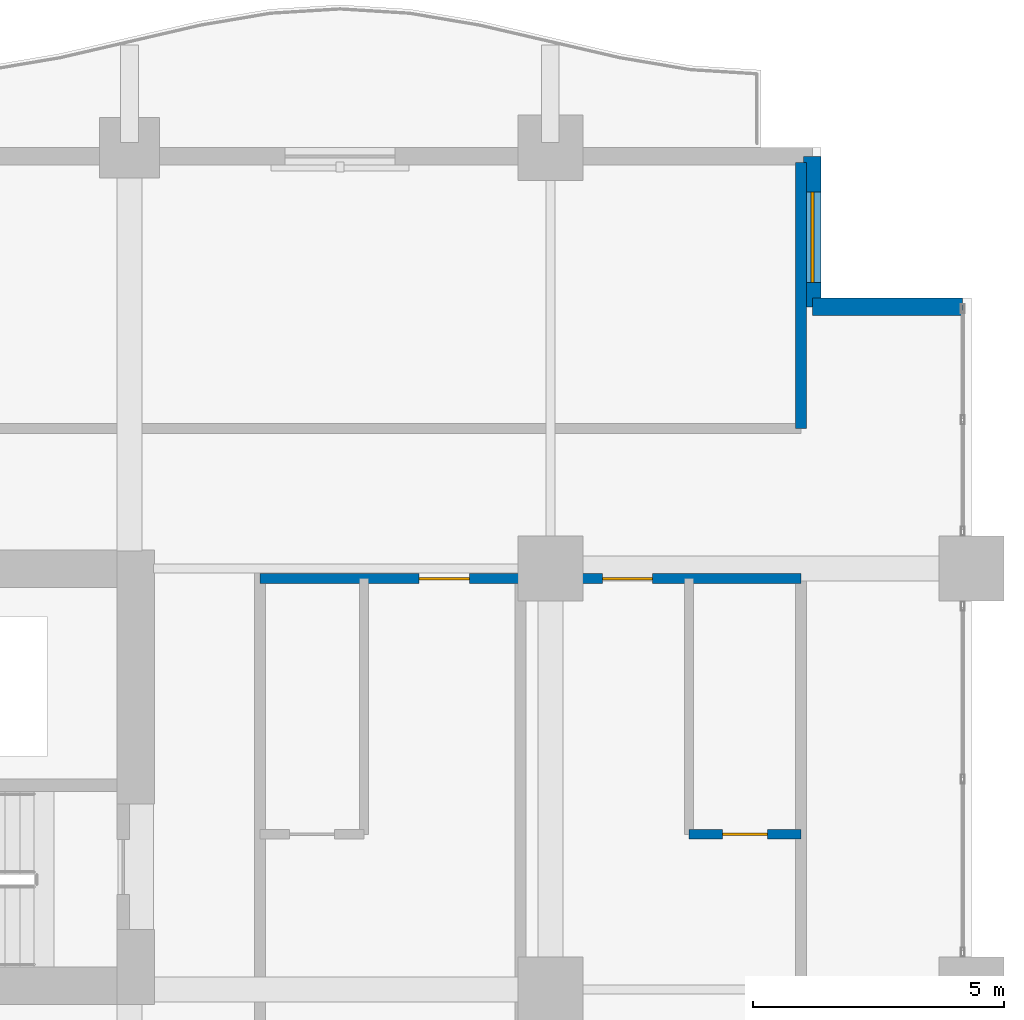
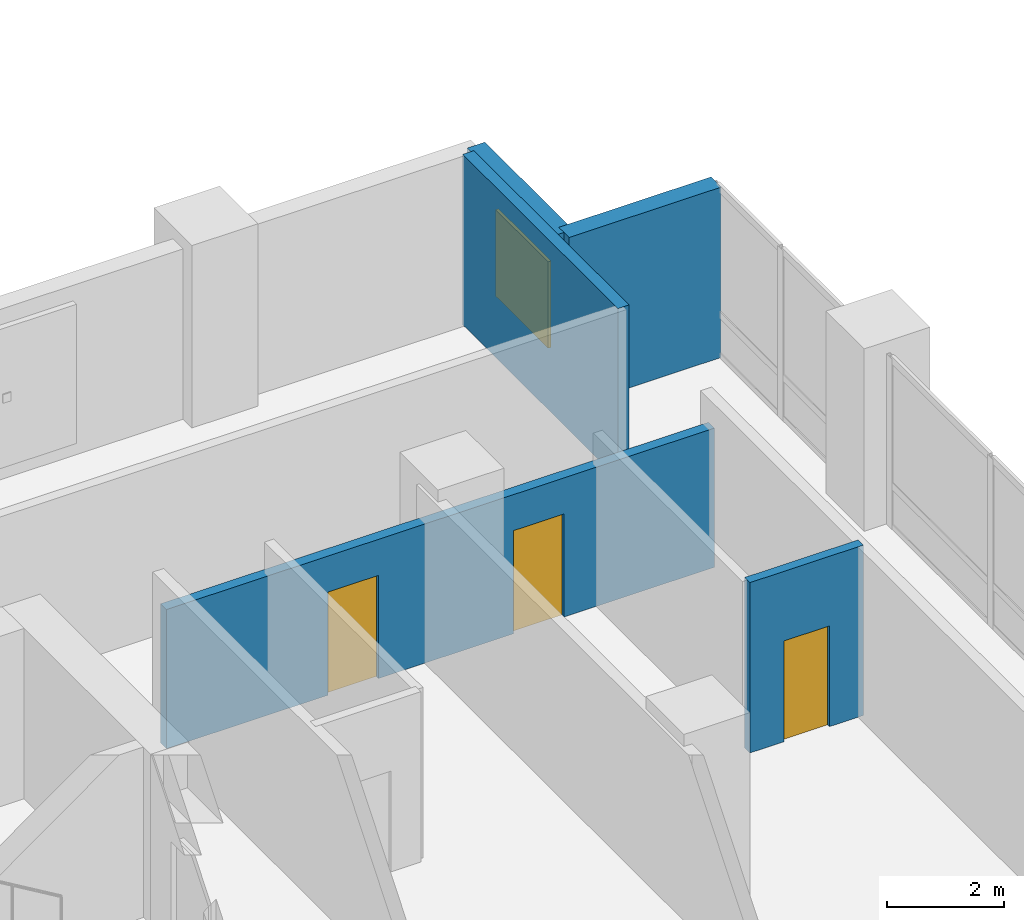
# One storey, part 15 of 24: 5 walls, 3 doors, 1 window, 4 openings.
"""IFC4 building model written with IfcOpenShell, lengths in metres."""

import ifcopenshell
import ifcopenshell.guid

model = None  # the IFC model being written
_history = None  # IfcOwnerHistory: only IFC2X3 demands one
_inside = {}  # id of a spatial element -> (the spatial element, [elements in it])
_under = {}  # id of a project, library or spatial element -> (it, [spatial elements below it])
_declared = {}  # id of a project -> (the project, [libraries it declares])
_typed = {}  # id of a type object -> (the type object, [elements of that type])
_made_of = {}  # id of a material, layer set ... -> (it, [elements and type objects made of it])


def new_model(schema):
    """Start an empty IFC model of exactly this schema.

    Asked for "IFC4X3", IfcOpenShell would pick the latest addendum, in which some entities
    have other attributes; the version numbers below select the first issue.
    IFC2X3 requires an IfcOwnerHistory on every rooted entity: one is made here for all.
    """
    global model, _history
    if schema == "IFC4X3":
        model = ifcopenshell.file(schema_version=(4, 3, 0, 0))
    else:
        model = ifcopenshell.file(schema=schema)
    _inside.clear()
    _under.clear()
    _declared.clear()
    _typed.clear()
    _made_of.clear()
    _history = None
    if model.schema == "IFC2X3":
        org = make("IfcOrganization", Name="unknown")
        user = make(
            "IfcPersonAndOrganization",
            ThePerson=make("IfcPerson", FamilyName="unknown"),
            TheOrganization=org,
        )
        app = make(
            "IfcApplication",
            ApplicationDeveloper=org,
            Version="unknown",
            ApplicationFullName="unknown",
            ApplicationIdentifier="unknown",
        )
        _history = make(
            "IfcOwnerHistory",
            OwningUser=user,
            OwningApplication=app,
            ChangeAction="ADDED",
            CreationDate=0,
        )
    return model


def make(cls, **values):
    """One entity of the class cls with the attributes given. An attribute that is None is left unset."""
    return model.create_entity(
        cls, **{name: value for name, value in values.items() if value is not None}
    )


def rooted(cls, **values):
    """An entity with a GlobalId (a new one), such as an element, a storey or a relation."""
    return make(cls, GlobalId=ifcopenshell.guid.new(), OwnerHistory=_history, **values)


def si_unit(unit_type, name, prefix=None):
    """IfcSIUnit, for example si_unit("LENGTHUNIT", "METRE", prefix="MILLI")."""
    return make("IfcSIUnit", UnitType=unit_type, Prefix=prefix, Name=name)


def assignment(units):
    """IfcUnitAssignment: the units of a project."""
    return None if units is None else make("IfcUnitAssignment", Units=units)


def point(xyz):
    """IfcCartesianPoint."""
    return None if xyz is None else make("IfcCartesianPoint", Coordinates=xyz)


def direction(xyz):
    """IfcDirection."""
    return None if xyz is None else make("IfcDirection", DirectionRatios=xyz)


def frame(location, z_axis=None, x_axis=None):
    """IfcAxis2Placement3D, a coordinate frame: its origin and axes. An axis left out is left unset."""
    return make(
        "IfcAxis2Placement3D",
        Location=point(location),
        Axis=direction(z_axis),
        RefDirection=direction(x_axis),
    )


def frame_2d(location, x_axis=None):
    """IfcAxis2Placement2D, a coordinate frame in the plane: its origin and x axis."""
    return make(
        "IfcAxis2Placement2D", Location=point(location), RefDirection=direction(x_axis)
    )


def origin():
    """The frame at (0, 0, 0) with its axes left unset."""
    return frame((0.0, 0.0, 0.0))


def place(relative_to, where):
    """IfcLocalPlacement: puts the frame where relative to a parent placement (None: the world)."""
    return make(
        "IfcLocalPlacement", PlacementRelTo=relative_to, RelativePlacement=where
    )


def context(
    kind, dimensions, precision=None, world=None, true_north=None, identifier=None
):
    """IfcGeometricRepresentationContext, for example the 3D "Model" context."""
    return make(
        "IfcGeometricRepresentationContext",
        ContextIdentifier=identifier,
        ContextType=kind,
        CoordinateSpaceDimension=dimensions,
        Precision=precision,
        WorldCoordinateSystem=world,
        TrueNorth=true_north,
    )


def subcontext(parent, identifier, kind, view, scale=None):
    """IfcGeometricRepresentationSubContext, for example "Body" below "Model"."""
    return make(
        "IfcGeometricRepresentationSubContext",
        ContextIdentifier=identifier,
        ContextType=kind,
        ParentContext=parent,
        TargetScale=scale,
        TargetView=view,
    )


def project(units=None, contexts=None):
    """IfcProject with its units and contexts."""
    return rooted(
        "IfcProject",
        Name="project",
        RepresentationContexts=contexts,
        UnitsInContext=assignment(units),
    )


def spatial(cls, under=None, at=None, **own):
    """A site, building, storey or space (cls), placed at a placement, below another one or the project."""
    s = rooted(cls, ObjectPlacement=at, **own)
    if under is not None:
        _under.setdefault(under.id(), (under, []))[1].append(s)
    return s


def profile(cls, at=None, kind="AREA", **sizes):
    """A parametric profile (cls). Its sizes go by their IFC names, for example OverallWidth=200.0."""
    return make(cls, ProfileType=kind, Position=at, **sizes)


def rectangle(**sizes):
    """IfcRectangleProfileDef."""
    return profile("IfcRectangleProfileDef", **sizes)


def extrude(swept, where, along, depth):
    """IfcExtrudedAreaSolid: the profile swept, set in the frame where, extruded along a direction by depth."""
    return make(
        "IfcExtrudedAreaSolid",
        SweptArea=swept,
        Position=where,
        ExtrudedDirection=direction(along),
        Depth=depth,
    )


def shape(context_of_items, identifier, shape_type, items):
    """IfcShapeRepresentation: the items that make up one representation, for example the "Body"."""
    return make(
        "IfcShapeRepresentation",
        ContextOfItems=context_of_items,
        RepresentationIdentifier=identifier,
        RepresentationType=shape_type,
        Items=items,
    )


def material(Name=None, Category=None):
    """IfcMaterial."""
    return make("IfcMaterial", Name=Name, Category=Category)


def layer(
    of_material, thickness, ventilated=None, Name=None, Category=None, Priority=None
):
    """IfcMaterialLayer: one layer of a wall or slab, of a material (None: an air gap)."""
    return make(
        "IfcMaterialLayer",
        Material=of_material,
        LayerThickness=thickness,
        IsVentilated=ventilated,
        Name=Name,
        Category=Category,
        Priority=Priority,
    )


def layer_set(layers, Name=None):
    """IfcMaterialLayerSet."""
    return make("IfcMaterialLayerSet", MaterialLayers=layers, LayerSetName=Name)


def made_of(thing, what):
    """Note that an element or type object is made of a material, layer set ...; save() writes the relation."""
    if what is not None:
        _made_of.setdefault(what.id(), (what, []))[1].append(thing)
    return thing


def type_object(cls, material=None, **own):
    """A type object (cls), such as IfcWallType, which elements share."""
    return made_of(rooted(cls, **own), material)


def element(
    cls,
    number,
    at=None,
    inside=None,
    cuts=None,
    type_object=None,
    material=None,
    context=None,
    identifier="Body",
    shape_type=None,
    held_by="IfcProductDefinitionShape",
    body=None,
    shapes=None,
    **own,
):
    """One element of the class cls, such as IfcWall. Its Tag is "e" and its number.

    at: its placement. inside: the storey or other place that contains it. cuts: it is an
    opening in that element (IfcRelVoidsElement). A single representation is given by context,
    identifier, shape_type and body (its items); several are given by shapes. held_by: the class
    of the entity that holds the representations. save() writes the other relations.
    """
    e = rooted(cls, Tag="e%d" % number, ObjectPlacement=at, **own)
    if body is not None:
        shapes = [shape(context, identifier, shape_type, body)]
    if shapes is not None:
        e.Representation = make(held_by, Representations=shapes)
    if inside is not None:
        _inside.setdefault(inside.id(), (inside, []))[1].append(e)
    if cuts is not None:
        rooted(
            "IfcRelVoidsElement", RelatingBuildingElement=cuts, RelatedOpeningElement=e
        )
    if type_object is not None:
        _typed.setdefault(type_object.id(), (type_object, []))[1].append(e)
    return made_of(e, material)


def fill(opening, filler):
    """IfcRelFillsElement: the door or window that sits in an opening."""
    return rooted(
        "IfcRelFillsElement",
        RelatingOpeningElement=opening,
        RelatedBuildingElement=filler,
    )


def aggregate(whole, parts):
    """IfcRelAggregates: a whole, such as a stair, and the parts it consists of."""
    return rooted("IfcRelAggregates", RelatingObject=whole, RelatedObjects=parts)


def save(model, path):
    """Write the relations noted so far, then the file.

    IfcRelAggregates (storeys below a building ...), IfcRelContainedInSpatialStructure (elements
    in a storey), IfcRelDefinesByType, IfcRelAssociatesMaterial and IfcRelDeclares: one each for
    every whole, place, type object, material and project.
    """
    for whole, parts in _under.values():
        aggregate(whole, parts)
    for where, things in _inside.values():
        rooted(
            "IfcRelContainedInSpatialStructure",
            RelatedElements=things,
            RelatingStructure=where,
        )
    for kind, things in _typed.values():
        rooted("IfcRelDefinesByType", RelatedObjects=things, RelatingType=kind)
    for what, things in _made_of.values():
        rooted("IfcRelAssociatesMaterial", RelatedObjects=things, RelatingMaterial=what)
    for by, libraries in _declared.values():
        rooted("IfcRelDeclares", RelatingContext=by, RelatedDefinitions=libraries)
    model.write(path)


model = new_model("IFC4")

# Units and contexts
model_context = context("Model", 3, precision=1e-05, world=origin(), true_north=direction((0.0, 1.0)))
body_context = subcontext(model_context, "Body", "Model", "MODEL_VIEW")
ifc_project = project(units=[si_unit("LENGTHUNIT", "METRE"), si_unit("AREAUNIT", "SQUARE_METRE"), si_unit("VOLUMEUNIT", "CUBIC_METRE"), si_unit("PLANEANGLEUNIT", "RADIAN"), si_unit("MASSUNIT", "GRAM", prefix="KILO")], contexts=[model_context])

# Site, building, storey
site_placement = place(None, origin())
site = spatial("IfcSite", under=ifc_project, at=site_placement, CompositionType="ELEMENT")
building_placement = place(site_placement, origin())
building = spatial("IfcBuilding", under=site, at=building_placement, Name="Koriwani Terraces Tower", CompositionType="ELEMENT")
storey_placement = place(building_placement, frame((0.0, 0.0, 149.39990234375)))
storey = spatial("IfcBuildingStorey", under=building, at=storey_placement, Name="L36", CompositionType="ELEMENT", Elevation=149.39990234375)

# Wall, openings, doors
ifc_material_1 = material(Name="Autoclaved Cellular Concrete Blockwork", Category="masonry")
ifc_layer_1 = layer(ifc_material_1, 0.199951171875, Name="Autoclaved Cellular Concrete Blockwork")
ifc_layer_set_1 = layer_set([ifc_layer_1], Name="Autoclaved Cellular Concrete Blockwork")
wall_type_1 = type_object("IfcWallType", Name="WALL_CORRIDOR_200", PredefinedType="PARTITIONING", material=ifc_layer_set_1)
wall_1_placement = place(storey_placement, frame((61.39990234375, 25.0, 0.0), z_axis=(0.0, 0.0, 1.0), x_axis=(1.0, 0.0, 0.0)))
wall_1 = element("IfcWall", 1, at=wall_1_placement, inside=storey, type_object=wall_type_1, Name="L36 Interior Wall WCOR-L36-SE-0", PredefinedType="PARTITIONING", context=body_context, shape_type="SweptSolid", body=[
    extrude(rectangle(XDim=10.800048828125, YDim=0.199951171875, at=frame_2d((5.39990234375, 0.0))), origin(), (0.0, 0.0, 1.0), 2.900146484375),
])
opening_1_placement = place(wall_1_placement, frame((3.179931640625, 0.0, 0.0)))
opening_1 = element("IfcOpeningElement", 2, at=opening_1_placement, cuts=wall_1, Name="Opening D-05", PredefinedType="OPENING", context=body_context, shape_type="SweptSolid", body=[
    extrude(rectangle(XDim=1.0, YDim=2.14990234375, at=frame_2d((0.5, 1.074951171875))), frame((0.0, 0.10986328125, 0.0), z_axis=(0.0, -1.0, 0.0), x_axis=(1.0, 0.0, 0.0)), (0.0, 0.0, 1.0), 0.219970703125),
])
opening_2_placement = place(wall_1_placement, frame((6.840087890625, 0.0, 0.0)))
opening_2 = element("IfcOpeningElement", 3, at=opening_2_placement, cuts=wall_1, Name="Opening D-05", PredefinedType="OPENING", context=body_context, shape_type="SweptSolid", body=[
    extrude(rectangle(XDim=1.0, YDim=2.14990234375, at=frame_2d((0.5, 1.074951171875))), frame((0.0, 0.10986328125, 0.0), z_axis=(0.0, -1.0, 0.0), x_axis=(1.0, 0.0, 0.0)), (0.0, 0.0, 1.0), 0.219970703125),
])
ifc_material_2 = material(Name="Architectural Oak Fire Door", Category="wood")
door_type_1 = type_object("IfcDoorType", Name="DOOR_SUITE_ENTRY_1000X2150", OperationType="NOTDEFINED", PredefinedType="DOOR", material=ifc_material_2)
door_1_placement = place(opening_1_placement, origin())
door_1 = element("IfcDoor", 4, at=door_1_placement, inside=storey, type_object=door_type_1, Name="Luxury Hotel Suite 36SE1 Entrance Door", OperationType="SINGLE_SWING_RIGHT", OverallHeight=2.14990234375, OverallWidth=1.0, PredefinedType="DOOR", context=body_context, shape_type="SweptSolid", body=[
    extrude(rectangle(XDim=1.0, YDim=2.14990234375, at=frame_2d((0.5, 1.074951171875))), frame((0.0, 0.02490234375, 0.0), z_axis=(0.0, -1.0, 0.0), x_axis=(1.0, 0.0, 0.0)), (0.0, 0.0, 1.0), 0.050048828125),
])
fill(opening_1, door_1)
door_2_placement = place(opening_2_placement, origin())
door_2 = element("IfcDoor", 5, at=door_2_placement, inside=storey, type_object=door_type_1, Name="Luxury Hotel Suite 36SE2 Entrance Door", OperationType="SINGLE_SWING_RIGHT", OverallHeight=2.14990234375, OverallWidth=1.0, PredefinedType="DOOR", context=body_context, shape_type="SweptSolid", body=[
    extrude(rectangle(XDim=1.0, YDim=2.14990234375, at=frame_2d((0.5, 1.074951171875))), frame((0.0, 0.02490234375, 0.0), z_axis=(0.0, -1.0, 0.0), x_axis=(1.0, 0.0, 0.0)), (0.0, 0.0, 1.0), 0.050048828125),
])
fill(opening_2, door_2)

# Wall
ifc_layer_2 = layer(ifc_material_1, 0.219970703125, Name="Autoclaved Cellular Concrete Blockwork")
ifc_layer_set_2 = layer_set([ifc_layer_2], Name="Autoclaved Cellular Concrete Blockwork")
wall_type_2 = type_object("IfcWallType", Name="WALL_DEMISING_220", PredefinedType="PARTITIONING", material=ifc_layer_set_2)
wall_2_placement = place(storey_placement, frame((72.199951171875, 28.0, 0.0), z_axis=(0.0, 0.0, 1.0), x_axis=(0.0, 1.0, 0.0)))
element("IfcWall", 6, at=wall_2_placement, inside=storey, type_object=wall_type_2, Name="L36 Interior Wall WSEC-E-L36", PredefinedType="PARTITIONING", context=body_context, shape_type="SweptSolid", body=[
    extrude(rectangle(XDim=5.300048828125, YDim=0.219970703125, at=frame_2d((2.64990234375, 0.0))), origin(), (0.0, 0.0, 1.0), 3.550048828125),
])

# Wall, opening, window
ifc_material_3 = material(Name="Concrete C50/60", Category="concrete")
ifc_layer_3 = layer(ifc_material_3, 0.35009765625, Name="Concrete C50/60")
ifc_layer_set_3 = layer_set([ifc_layer_3], Name="Concrete C50/60")
wall_type_3 = type_object("IfcWallType", Name="WALL_EXT_BRUTALIST_350", PredefinedType="STANDARD", material=ifc_layer_set_3)
wall_3_placement = place(storey_placement, frame((72.425048828125, 33.425048828125, 0.0), z_axis=(0.0, 0.0, 1.0), x_axis=(0.0, -1.0, 0.0)))
wall_3 = element("IfcWall", 7, at=wall_3_placement, inside=storey, type_object=wall_type_3, Name="L36 Fair-Faced Brutalist Exterior Wall (N10)", PredefinedType="STANDARD", context=body_context, shape_type="SweptSolid", body=[
    extrude(rectangle(XDim=3.0, YDim=0.35009765625, at=frame_2d((1.5, 0.0))), origin(), (0.0, 0.0, 1.0), 3.550048828125),
])
opening_3_placement = place(wall_3_placement, frame((0.71240234375, 0.0, 0.85009765625)))
opening_3 = element("IfcOpeningElement", 8, at=opening_3_placement, cuts=wall_3, Name="Opening W-04", PredefinedType="OPENING", context=body_context, shape_type="SweptSolid", body=[
    extrude(rectangle(XDim=1.800048828125, YDim=1.800048828125, at=frame_2d((0.89990234375, 0.89990234375))), frame((0.0, 0.18505859375, 0.0), z_axis=(0.0, -1.0, 0.0), x_axis=(1.0, 0.0, 0.0)), (0.0, 0.0, 1.0), 0.3701171875),
])
ifc_material_4 = material(Name="Tempered Laminated Low-E Glass", Category="glass")
window_type = type_object("IfcWindowType", Name="WIN_RES_BED_1800X1800", PartitioningType="DOUBLE_PANEL_VERTICAL", PredefinedType="WINDOW", material=ifc_material_4)
window_placement = place(opening_3_placement, origin())
window = element("IfcWindow", 9, at=window_placement, inside=storey, type_object=window_type, Name="L36 Exterior Window (N10-R51)", OverallHeight=1.800048828125, OverallWidth=1.800048828125, PartitioningType="SINGLE_PANEL", PredefinedType="WINDOW", context=body_context, shape_type="SweptSolid", body=[
    extrude(rectangle(XDim=1.800048828125, YDim=1.800048828125, at=frame_2d((0.89990234375, 0.89990234375))), frame((0.0, 0.030029296875, 0.0), z_axis=(0.0, -1.0, 0.0), x_axis=(1.0, 0.0, 0.0)), (0.0, 0.0, 1.0), 0.06005859375),
])
fill(opening_3, window)

# Wall
wall_4_placement = place(storey_placement, frame((72.425048828125, 30.425048828125, 0.0), z_axis=(0.0, 0.0, 1.0), x_axis=(1.0, 0.0, 0.0)))
element("IfcWall", 10, at=wall_4_placement, inside=storey, type_object=wall_type_3, Name="L36 Fair-Faced Brutalist Exterior Wall (N11)", PredefinedType="STANDARD", context=body_context, shape_type="SweptSolid", body=[
    extrude(rectangle(XDim=3.0, YDim=0.35009765625, at=frame_2d((1.5, 0.0))), origin(), (0.0, 0.0, 1.0), 3.550048828125),
])

# Wall, opening, door
ifc_material_5 = material(Name="Fire-Rated Acoustic Gypsum Partition", Category="masonry")
ifc_layer_4 = layer(ifc_material_5, 0.179931640625, Name="Fire-Rated Acoustic Gypsum Partition")
ifc_layer_set_4 = layer_set([ifc_layer_4], Name="Fire-Rated Acoustic Gypsum Partition")
wall_type_4 = type_object("IfcWallType", Name="WALL_PLUMBING_180", PredefinedType="PLUMBINGWALL", material=ifc_layer_set_4)
wall_5_placement = place(storey_placement, frame((69.9599609375, 19.89990234375, 0.0), z_axis=(0.0, 0.0, 1.0), x_axis=(1.0, 0.0, 0.0)))
wall_5 = element("IfcWall", 11, at=wall_5_placement, inside=storey, type_object=wall_type_4, Name="L36 Interior Wall WBTH1-L36-SE-1", PredefinedType="PLUMBINGWALL", context=body_context, shape_type="SweptSolid", body=[
    extrude(rectangle(XDim=2.239990234375, YDim=0.179931640625, at=frame_2d((1.1201171875, 0.0))), origin(), (0.0, 0.0, 1.0), 3.550048828125),
])
opening_4_placement = place(wall_5_placement, frame((0.669921875, 0.0, 0.0)))
opening_4 = element("IfcOpeningElement", 12, at=opening_4_placement, cuts=wall_5, Name="Opening D-07", PredefinedType="OPENING", context=body_context, shape_type="SweptSolid", body=[
    extrude(rectangle(XDim=0.89990234375, YDim=2.10009765625, at=frame_2d((0.449951171875, 1.050048828125))), frame((0.0, 0.10009765625, 0.0), z_axis=(0.0, -1.0, 0.0), x_axis=(1.0, 0.0, 0.0)), (0.0, 0.0, 1.0), 0.199951171875),
])
door_type_2 = type_object("IfcDoorType", Name="DOOR_BATH_INT_900X2100", OperationType="NOTDEFINED", PredefinedType="DOOR", material=ifc_material_2)
door_3_placement = place(opening_4_placement, origin())
door_3 = element("IfcDoor", 13, at=door_3_placement, inside=storey, type_object=door_type_2, Name="En-Suite Bathroom 36SE2 Door", OperationType="SINGLE_SWING_LEFT", OverallHeight=2.10009765625, OverallWidth=0.89990234375, PredefinedType="DOOR", context=body_context, shape_type="SweptSolid", body=[
    extrude(rectangle(XDim=0.89990234375, YDim=2.10009765625, at=frame_2d((0.449951171875, 1.050048828125))), frame((0.0, 0.02490234375, 0.0), z_axis=(0.0, -1.0, 0.0), x_axis=(1.0, 0.0, 0.0)), (0.0, 0.0, 1.0), 0.050048828125),
])
fill(opening_4, door_3)

save(model, "model.ifc")
